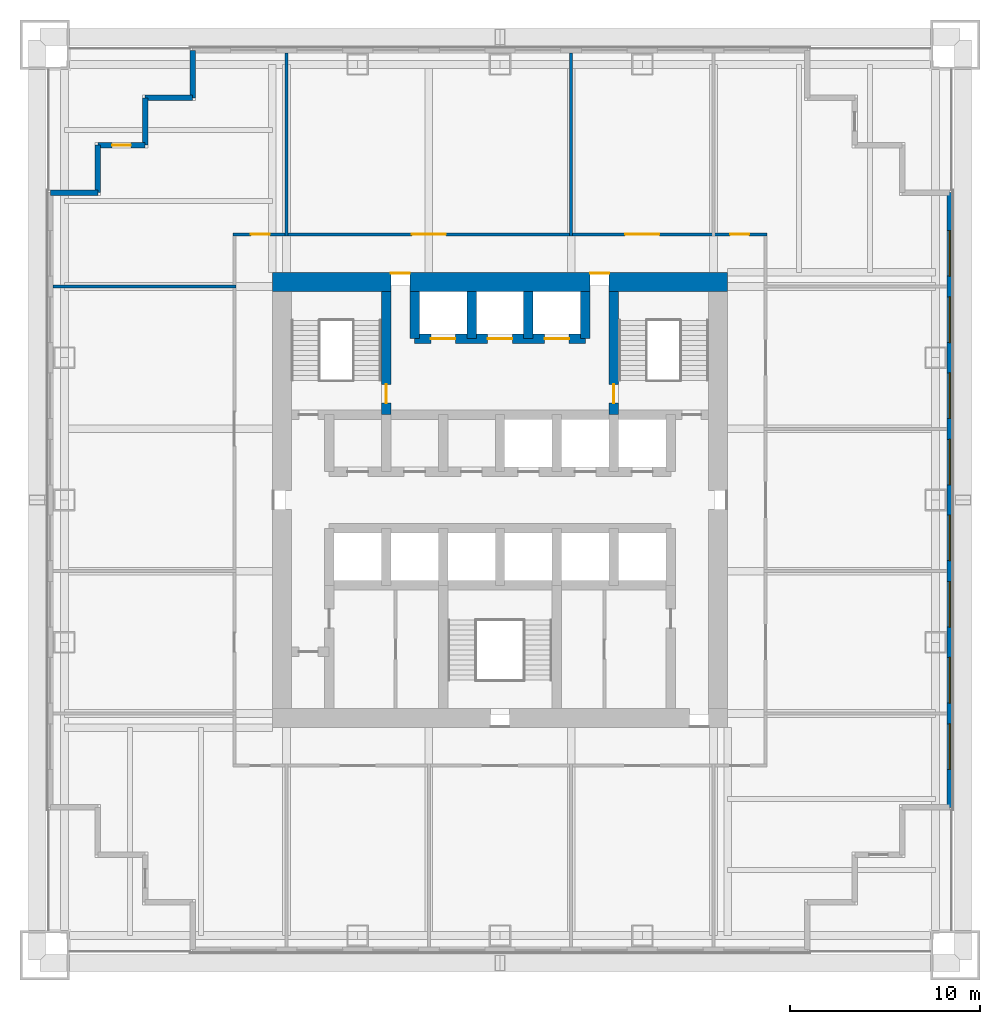
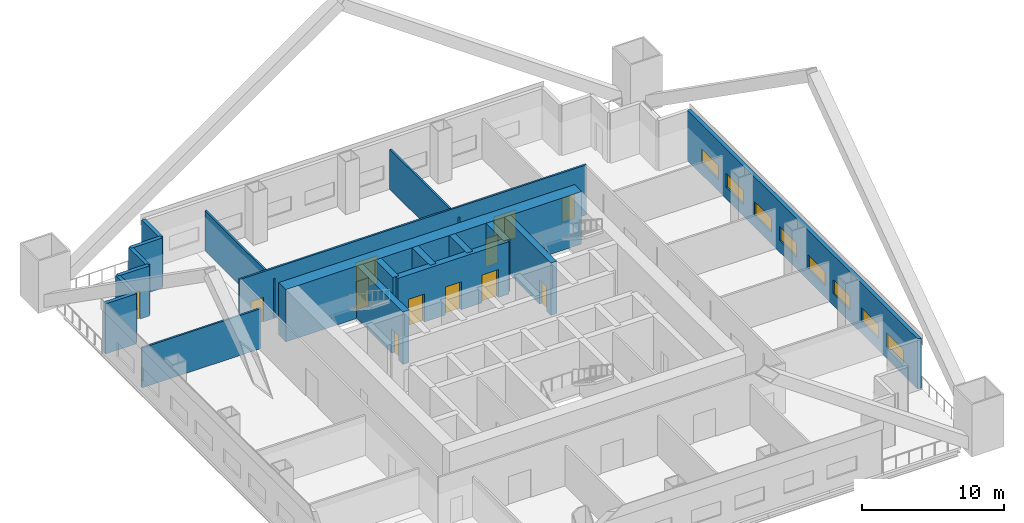
# One storey, part 4 of 6: 19 walls, 12 doors, 8 windows, 20 openings.
"""IFC4 building model written with IfcOpenShell, lengths in metres."""

from ifc_helpers import new_model, si_unit, direction, frame, frame_2d, origin, place, context, subcontext, project, spatial, rectangle, extrude, material, layer, layer_set, type_object, element, fill, save


model = new_model("IFC4")

# Units and contexts
model_context = context("Model", 3, precision=1e-05, world=origin(), true_north=direction((0.0, 1.0)))
body_context = subcontext(model_context, "Body", "Model", "MODEL_VIEW")
ifc_project = project(units=[si_unit("LENGTHUNIT", "METRE"), si_unit("AREAUNIT", "SQUARE_METRE"), si_unit("VOLUMEUNIT", "CUBIC_METRE"), si_unit("PLANEANGLEUNIT", "RADIAN"), si_unit("MASSUNIT", "GRAM", prefix="KILO")], contexts=[model_context])

# Site, building, storey
site_placement = place(None, origin())
site = spatial("IfcSite", under=ifc_project, at=site_placement, CompositionType="ELEMENT")
building_placement = place(site_placement, origin())
building = spatial("IfcBuilding", under=site, at=building_placement, Name="Tarangal Relay Tower", CompositionType="ELEMENT")
storey_placement = place(building_placement, frame((0.0, 0.0, 104.39990234375)))
storey = spatial("IfcBuildingStorey", under=building, at=storey_placement, Name="L20", CompositionType="ELEMENT", Elevation=104.39990234375)

# Wall, openings, doors
ifc_material_1 = material(Name="Concrete fc' 60 MPa", Category="concrete")
ifc_layer_1 = layer(ifc_material_1, 0.5)
ifc_layer_set_1 = layer_set([ifc_layer_1], Name="Core inner wall 500")
wall_type_1 = type_object("IfcWallType", Name="Core inner wall 500", PredefinedType="SHEAR", material=ifc_layer_set_1)
wall_1_placement = place(storey_placement, frame((-4.5, 8.5, 0.0), z_axis=(0.0, 0.0, 1.0), x_axis=(1.0, 0.0, 0.0)))
wall_1 = element("IfcWall", 1, at=wall_1_placement, inside=storey, type_object=wall_type_1, Name="Core wall Y85 L20", PredefinedType="SHEAR", context=body_context, shape_type="SweptSolid", body=[
    extrude(rectangle(XDim=9.0, YDim=0.5, at=frame_2d((4.5, 0.0))), origin(), (0.0, 0.0, 1.0), 4.5),
])
opening_1_placement = place(wall_1_placement, frame((0.85009765625, 0.0, 0.0)))
opening_1 = element("IfcOpeningElement", 2, at=opening_1_placement, cuts=wall_1, Name="Opening LD2", PredefinedType="OPENING", context=body_context, shape_type="SweptSolid", body=[
    extrude(rectangle(XDim=1.300048828125, YDim=2.39990234375, at=frame_2d((0.64990234375, 1.199951171875))), frame((0.0, 0.260009765625, 0.0), z_axis=(0.0, -1.0, 0.0), x_axis=(1.0, 0.0, 0.0)), (0.0, 0.0, 1.0), 0.52001953125),
])
opening_2_placement = place(wall_1_placement, frame((6.85009765625, 0.0, 0.0)))
opening_2 = element("IfcOpeningElement", 3, at=opening_2_placement, cuts=wall_1, Name="Opening LD2", PredefinedType="OPENING", context=body_context, shape_type="SweptSolid", body=[
    extrude(rectangle(XDim=1.300048828125, YDim=2.39990234375, at=frame_2d((0.64990234375, 1.199951171875))), frame((0.0, 0.260009765625, 0.0), z_axis=(0.0, -1.0, 0.0), x_axis=(1.0, 0.0, 0.0)), (0.0, 0.0, 1.0), 0.52001953125),
])
opening_3_placement = place(wall_1_placement, frame((3.85009765625, 0.0, 0.0)))
opening_3 = element("IfcOpeningElement", 4, at=opening_3_placement, cuts=wall_1, Name="Opening LD2", PredefinedType="OPENING", context=body_context, shape_type="SweptSolid", body=[
    extrude(rectangle(XDim=1.300048828125, YDim=2.39990234375, at=frame_2d((0.64990234375, 1.199951171875))), frame((0.0, 0.260009765625, 0.0), z_axis=(0.0, -1.0, 0.0), x_axis=(1.0, 0.0, 0.0)), (0.0, 0.0, 1.0), 0.52001953125),
])
ifc_material_2 = material(Name="Steel door with hardwood frame", Category="steel")
door_type_1 = type_object("IfcDoorType", Name="Lift landing door 1300 x 2400", OperationType="SLIDING_TO_LEFT", PredefinedType="DOOR", material=ifc_material_2)
door_1_placement = place(opening_1_placement, origin())
door_1 = element("IfcDoor", 5, at=door_1_placement, inside=storey, type_object=door_type_1, Name="Lift FF1 landing door L20", OperationType="SLIDING_TO_LEFT", OverallHeight=2.39990234375, OverallWidth=1.300048828125, PredefinedType="DOOR", context=body_context, shape_type="SweptSolid", body=[
    extrude(rectangle(XDim=1.300048828125, YDim=2.39990234375, at=frame_2d((0.64990234375, 1.199951171875))), frame((0.0, 0.02490234375, 0.0), z_axis=(0.0, -1.0, 0.0), x_axis=(1.0, 0.0, 0.0)), (0.0, 0.0, 1.0), 0.050048828125),
])
fill(opening_1, door_1)
door_2_placement = place(opening_2_placement, origin())
door_2 = element("IfcDoor", 6, at=door_2_placement, inside=storey, type_object=door_type_1, Name="Lift FF2 landing door L20", OperationType="SLIDING_TO_LEFT", OverallHeight=2.39990234375, OverallWidth=1.300048828125, PredefinedType="DOOR", context=body_context, shape_type="SweptSolid", body=[
    extrude(rectangle(XDim=1.300048828125, YDim=2.39990234375, at=frame_2d((0.64990234375, 1.199951171875))), frame((0.0, 0.02490234375, 0.0), z_axis=(0.0, -1.0, 0.0), x_axis=(1.0, 0.0, 0.0)), (0.0, 0.0, 1.0), 0.050048828125),
])
fill(opening_2, door_2)
door_3_placement = place(opening_3_placement, origin())
door_3 = element("IfcDoor", 7, at=door_3_placement, inside=storey, type_object=door_type_1, Name="Lift SV1 landing door L20", OperationType="SLIDING_TO_LEFT", OverallHeight=2.39990234375, OverallWidth=1.300048828125, PredefinedType="DOOR", context=body_context, shape_type="SweptSolid", body=[
    extrude(rectangle(XDim=1.300048828125, YDim=2.39990234375, at=frame_2d((0.64990234375, 1.199951171875))), frame((0.0, 0.02490234375, 0.0), z_axis=(0.0, -1.0, 0.0), x_axis=(1.0, 0.0, 0.0)), (0.0, 0.0, 1.0), 0.050048828125),
])
fill(opening_3, door_3)

# Wall, opening, door
wall_2_placement = place(storey_placement, frame((-6.0, 4.5, 0.0), z_axis=(0.0, 0.0, 1.0), x_axis=(0.0, 1.0, 0.0)))
wall_2 = element("IfcWall", 8, at=wall_2_placement, inside=storey, type_object=wall_type_1, Name="Core wall XM6 L20", PredefinedType="SHEAR", context=body_context, shape_type="SweptSolid", body=[
    extrude(rectangle(XDim=6.5, YDim=0.5, at=frame_2d((3.25, 0.0))), origin(), (0.0, 0.0, 1.0), 4.5),
])
opening_4_placement = place(wall_2_placement, frame((0.60009765625, 0.0, 0.0)))
opening_4 = element("IfcOpeningElement", 9, at=opening_4_placement, cuts=wall_2, Name="Opening FD1", PredefinedType="OPENING", context=body_context, shape_type="SweptSolid", body=[
    extrude(rectangle(XDim=1.0, YDim=2.10009765625, at=frame_2d((0.5, 1.050048828125))), frame((0.0, 0.260009765625, 0.0), z_axis=(0.0, -1.0, 0.0), x_axis=(1.0, 0.0, 0.0)), (0.0, 0.0, 1.0), 0.52001953125),
])
door_type_2 = type_object("IfcDoorType", Name="Fire door 1000 x 2100", OperationType="SINGLE_SWING_LEFT", PredefinedType="DOOR", material=ifc_material_2)
door_4_placement = place(opening_4_placement, origin())
door_4 = element("IfcDoor", 10, at=door_4_placement, inside=storey, type_object=door_type_2, Name="Stair ST-A door from fire-fighting lobby L20", OperationType="SINGLE_SWING_LEFT", OverallHeight=2.10009765625, OverallWidth=1.0, PredefinedType="DOOR", context=body_context, shape_type="SweptSolid", body=[
    extrude(rectangle(XDim=1.0, YDim=2.10009765625, at=frame_2d((0.5, 1.050048828125))), frame((0.0, 0.02490234375, 0.0), z_axis=(0.0, -1.0, 0.0), x_axis=(1.0, 0.0, 0.0)), (0.0, 0.0, 1.0), 0.050048828125),
])
fill(opening_4, door_4)

wall_3_placement = place(storey_placement, frame((6.0, 4.5, 0.0), z_axis=(0.0, 0.0, 1.0), x_axis=(0.0, 1.0, 0.0)))
wall_3 = element("IfcWall", 11, at=wall_3_placement, inside=storey, type_object=wall_type_1, Name="Core wall X6 L20", PredefinedType="SHEAR", context=body_context, shape_type="SweptSolid", body=[
    extrude(rectangle(XDim=6.5, YDim=0.5, at=frame_2d((3.25, 0.0))), origin(), (0.0, 0.0, 1.0), 4.5),
])
opening_5_placement = place(wall_3_placement, frame((0.60009765625, 0.0, 0.0)))
opening_5 = element("IfcOpeningElement", 12, at=opening_5_placement, cuts=wall_3, Name="Opening FD1", PredefinedType="OPENING", context=body_context, shape_type="SweptSolid", body=[
    extrude(rectangle(XDim=1.0, YDim=2.10009765625, at=frame_2d((0.5, 1.050048828125))), frame((0.0, 0.260009765625, 0.0), z_axis=(0.0, -1.0, 0.0), x_axis=(1.0, 0.0, 0.0)), (0.0, 0.0, 1.0), 0.52001953125),
])
door_5_placement = place(opening_5_placement, origin())
door_5 = element("IfcDoor", 13, at=door_5_placement, inside=storey, type_object=door_type_2, Name="Stair ST-B door from fire-fighting lobby L20", OperationType="SINGLE_SWING_LEFT", OverallHeight=2.10009765625, OverallWidth=1.0, PredefinedType="DOOR", context=body_context, shape_type="SweptSolid", body=[
    extrude(rectangle(XDim=1.0, YDim=2.10009765625, at=frame_2d((0.5, 1.050048828125))), frame((0.0, 0.02490234375, 0.0), z_axis=(0.0, -1.0, 0.0), x_axis=(1.0, 0.0, 0.0)), (0.0, 0.0, 1.0), 0.050048828125),
])
fill(opening_5, door_5)

# Walls
for number, where, z_axis, x_axis, name in (
    (14, (-4.5, 8.5, 0.0), (0.0, 0.0, 1.0), (0.0, 1.0, 0.0), "Core wall XM45 L20"),
    (15, (4.5, 8.5, 0.0), (0.0, 0.0, 1.0), (0.0, 1.0, 0.0), "Core wall X45 L20"),
    (16, (-1.5, 8.5, 0.0), (0.0, 0.0, 1.0), (0.0, 1.0, 0.0), "Core wall XM15 L20"),
    (17, (1.5, 8.5, 0.0), (0.0, 0.0, 1.0), (0.0, 1.0, 0.0), "Core wall X15 L20"),
):
    element("IfcWall", number, at=place(storey_placement, frame(where, z_axis=z_axis, x_axis=x_axis)), inside=storey, type_object=wall_type_1, Name=name, PredefinedType="SHEAR", context=body_context, shape_type="SweptSolid", body=[
        extrude(rectangle(XDim=2.5, YDim=0.5, at=frame_2d((1.25, 0.0))), origin(), (0.0, 0.0, 1.0), 4.5),
    ])

# Wall, openings, doors
ifc_layer_2 = layer(ifc_material_1, 1.0)
ifc_layer_set_2 = layer_set([ifc_layer_2], Name="Core wall 1000")
wall_type_2 = type_object("IfcWallType", Name="Core wall 1000", PredefinedType="SHEAR", material=ifc_layer_set_2)
wall_4_placement = place(storey_placement, frame((-12.0, 11.5, 0.0), z_axis=(0.0, 0.0, 1.0), x_axis=(1.0, 0.0, 0.0)))
wall_4 = element("IfcWall", 18, at=wall_4_placement, inside=storey, type_object=wall_type_2, Name="Core wall N L20", PredefinedType="SHEAR", context=body_context, shape_type="SweptSolid", body=[
    extrude(rectangle(XDim=24.0, YDim=1.0, at=frame_2d((12.0, 0.0))), origin(), (0.0, 0.0, 1.0), 4.5),
])
opening_6_placement = place(wall_4_placement, frame((6.25, 0.0, 0.0)))
opening_6 = element("IfcOpeningElement", 19, at=opening_6_placement, cuts=wall_4, Name="Opening FD3", PredefinedType="OPENING", context=body_context, shape_type="SweptSolid", body=[
    extrude(rectangle(XDim=1.0, YDim=2.39990234375, at=frame_2d((0.5, 1.199951171875))), frame((0.0, 0.510009765625, 0.0), z_axis=(0.0, -1.0, 0.0), x_axis=(1.0, 0.0, 0.0)), (0.0, 0.0, 1.0), 1.02001953125),
])
opening_7_placement = place(wall_4_placement, frame((16.75, 0.0, 0.0)))
opening_7 = element("IfcOpeningElement", 20, at=opening_7_placement, cuts=wall_4, Name="Opening FD3", PredefinedType="OPENING", context=body_context, shape_type="SweptSolid", body=[
    extrude(rectangle(XDim=1.0, YDim=2.39990234375, at=frame_2d((0.5, 1.199951171875))), frame((0.0, 0.510009765625, 0.0), z_axis=(0.0, -1.0, 0.0), x_axis=(1.0, 0.0, 0.0)), (0.0, 0.0, 1.0), 1.02001953125),
])
door_type_3 = type_object("IfcDoorType", Name="Fire door 1000 x 2400 core entry", OperationType="SINGLE_SWING_RIGHT", PredefinedType="DOOR", material=ifc_material_2)
door_6_placement = place(opening_6_placement, origin())
door_6 = element("IfcDoor", 21, at=door_6_placement, inside=storey, type_object=door_type_3, Name="Core entry door north west L20", OperationType="SINGLE_SWING_RIGHT", OverallHeight=2.39990234375, OverallWidth=1.0, PredefinedType="DOOR", context=body_context, shape_type="SweptSolid", body=[
    extrude(rectangle(XDim=1.0, YDim=2.39990234375, at=frame_2d((0.5, 1.199951171875))), frame((0.0, 0.48486328125, 0.0), z_axis=(0.0, -1.0, 0.0), x_axis=(1.0, 0.0, 0.0)), (0.0, 0.0, 1.0), 0.050048828125),
])
fill(opening_6, door_6)
door_7_placement = place(opening_7_placement, origin())
door_7 = element("IfcDoor", 22, at=door_7_placement, inside=storey, type_object=door_type_3, Name="Core entry door north east L20", OperationType="SINGLE_SWING_RIGHT", OverallHeight=2.39990234375, OverallWidth=1.0, PredefinedType="DOOR", context=body_context, shape_type="SweptSolid", body=[
    extrude(rectangle(XDim=1.0, YDim=2.39990234375, at=frame_2d((0.5, 1.199951171875))), frame((0.0, 0.48486328125, 0.0), z_axis=(0.0, -1.0, 0.0), x_axis=(1.0, 0.0, 0.0)), (0.0, 0.0, 1.0), 0.050048828125),
])
fill(opening_7, door_7)

# Wall, openings, windows
ifc_material_3 = material(Name="Insulated precast concrete fc' 40 MPa", Category="concrete")
ifc_layer_3 = layer(ifc_material_3, 0.300048828125)
ifc_layer_set_3 = layer_set([ifc_layer_3], Name="Insulated precast concrete fc' 40 MPa")
wall_type_3 = type_object("IfcWallType", Name="Facade wall precast 300", PredefinedType="SOLIDWALL", material=ifc_layer_set_3)
wall_5_placement = place(storey_placement, frame((23.699951171875, 16.199951171875, 0.0), z_axis=(0.0, 0.0, 1.0), x_axis=(0.0, -1.0, 0.0)))
wall_5 = element("IfcWall", 23, at=wall_5_placement, inside=storey, type_object=wall_type_3, Name="Facade wall E facade L20", PredefinedType="SOLIDWALL", context=body_context, shape_type="SweptSolid", body=[
    extrude(rectangle(XDim=32.39990234375, YDim=0.300048828125, at=frame_2d((16.199951171875, 0.0))), origin(), (0.0, 0.0, 1.0), 4.300048828125),
])
opening_8_placement = place(wall_5_placement, frame((2.0, 0.0, 1.0)))
opening_8 = element("IfcOpeningElement", 24, at=opening_8_placement, cuts=wall_5, Name="Opening WN1", PredefinedType="OPENING", context=body_context, shape_type="SweptSolid", body=[
    extrude(rectangle(XDim=2.39990234375, YDim=1.199951171875, at=frame_2d((1.199951171875, 0.60009765625))), frame((0.0, 0.159912109375, 0.0), z_axis=(0.0, -1.0, 0.0), x_axis=(1.0, 0.0, 0.0)), (0.0, 0.0, 1.0), 0.320068359375),
])
opening_9_placement = place(wall_5_placement, frame((5.5, 0.0, 1.0)))
opening_9 = element("IfcOpeningElement", 25, at=opening_9_placement, cuts=wall_5, Name="Opening WN1", PredefinedType="OPENING", context=body_context, shape_type="SweptSolid", body=[
    extrude(rectangle(XDim=2.39990234375, YDim=1.199951171875, at=frame_2d((1.199951171875, 0.60009765625))), frame((0.0, 0.159912109375, 0.0), z_axis=(0.0, -1.0, 0.0), x_axis=(1.0, 0.0, 0.0)), (0.0, 0.0, 1.0), 0.320068359375),
])
opening_10_placement = place(wall_5_placement, frame((9.5, 0.0, 1.0)))
opening_10 = element("IfcOpeningElement", 26, at=opening_10_placement, cuts=wall_5, Name="Opening WN1", PredefinedType="OPENING", context=body_context, shape_type="SweptSolid", body=[
    extrude(rectangle(XDim=2.39990234375, YDim=1.199951171875, at=frame_2d((1.199951171875, 0.60009765625))), frame((0.0, 0.159912109375, 0.0), z_axis=(0.0, -1.0, 0.0), x_axis=(1.0, 0.0, 0.0)), (0.0, 0.0, 1.0), 0.320068359375),
])
opening_11_placement = place(wall_5_placement, frame((13.0, 0.0, 1.0)))
opening_11 = element("IfcOpeningElement", 27, at=opening_11_placement, cuts=wall_5, Name="Opening WN1", PredefinedType="OPENING", context=body_context, shape_type="SweptSolid", body=[
    extrude(rectangle(XDim=2.39990234375, YDim=1.199951171875, at=frame_2d((1.199951171875, 0.60009765625))), frame((0.0, 0.159912109375, 0.0), z_axis=(0.0, -1.0, 0.0), x_axis=(1.0, 0.0, 0.0)), (0.0, 0.0, 1.0), 0.320068359375),
])
opening_12_placement = place(wall_5_placement, frame((17.0, 0.0, 1.0)))
opening_12 = element("IfcOpeningElement", 28, at=opening_12_placement, cuts=wall_5, Name="Opening WN1", PredefinedType="OPENING", context=body_context, shape_type="SweptSolid", body=[
    extrude(rectangle(XDim=2.39990234375, YDim=1.199951171875, at=frame_2d((1.199951171875, 0.60009765625))), frame((0.0, 0.159912109375, 0.0), z_axis=(0.0, -1.0, 0.0), x_axis=(1.0, 0.0, 0.0)), (0.0, 0.0, 1.0), 0.320068359375),
])
opening_13_placement = place(wall_5_placement, frame((20.5, 0.0, 1.0)))
opening_13 = element("IfcOpeningElement", 29, at=opening_13_placement, cuts=wall_5, Name="Opening WN1", PredefinedType="OPENING", context=body_context, shape_type="SweptSolid", body=[
    extrude(rectangle(XDim=2.39990234375, YDim=1.199951171875, at=frame_2d((1.199951171875, 0.60009765625))), frame((0.0, 0.159912109375, 0.0), z_axis=(0.0, -1.0, 0.0), x_axis=(1.0, 0.0, 0.0)), (0.0, 0.0, 1.0), 0.320068359375),
])
opening_14_placement = place(wall_5_placement, frame((24.5, 0.0, 1.0)))
opening_14 = element("IfcOpeningElement", 30, at=opening_14_placement, cuts=wall_5, Name="Opening WN1", PredefinedType="OPENING", context=body_context, shape_type="SweptSolid", body=[
    extrude(rectangle(XDim=2.39990234375, YDim=1.199951171875, at=frame_2d((1.199951171875, 0.60009765625))), frame((0.0, 0.159912109375, 0.0), z_axis=(0.0, -1.0, 0.0), x_axis=(1.0, 0.0, 0.0)), (0.0, 0.0, 1.0), 0.320068359375),
])
opening_15_placement = place(wall_5_placement, frame((28.0, 0.0, 1.0)))
opening_15 = element("IfcOpeningElement", 31, at=opening_15_placement, cuts=wall_5, Name="Opening WN1", PredefinedType="OPENING", context=body_context, shape_type="SweptSolid", body=[
    extrude(rectangle(XDim=2.39990234375, YDim=1.199951171875, at=frame_2d((1.199951171875, 0.60009765625))), frame((0.0, 0.159912109375, 0.0), z_axis=(0.0, -1.0, 0.0), x_axis=(1.0, 0.0, 0.0)), (0.0, 0.0, 1.0), 0.320068359375),
])
ifc_material_4 = material(Name="Dark tinted double glazing in black aluminium frame", Category="aluminium")
window_type = type_object("IfcWindowType", Name="Ribbon window 2400 x 1200", PartitioningType="SINGLE_PANEL", PredefinedType="WINDOW", material=ifc_material_4)
window_1_placement = place(opening_8_placement, origin())
window_1 = element("IfcWindow", 32, at=window_1_placement, inside=storey, type_object=window_type, Name="Ribbon window WN1 E facade L20", OverallHeight=1.199951171875, OverallWidth=2.39990234375, PartitioningType="SINGLE_PANEL", PredefinedType="WINDOW", context=body_context, shape_type="SweptSolid", body=[
    extrude(rectangle(XDim=2.39990234375, YDim=1.199951171875, at=frame_2d((1.199951171875, 0.60009765625))), frame((0.0, 0.030029296875, 0.0), z_axis=(0.0, -1.0, 0.0), x_axis=(1.0, 0.0, 0.0)), (0.0, 0.0, 1.0), 0.06005859375),
])
fill(opening_8, window_1)
window_2_placement = place(opening_9_placement, origin())
window_2 = element("IfcWindow", 33, at=window_2_placement, inside=storey, type_object=window_type, Name="Ribbon window WN1 E facade L20", OverallHeight=1.199951171875, OverallWidth=2.39990234375, PartitioningType="SINGLE_PANEL", PredefinedType="WINDOW", context=body_context, shape_type="SweptSolid", body=[
    extrude(rectangle(XDim=2.39990234375, YDim=1.199951171875, at=frame_2d((1.199951171875, 0.60009765625))), frame((0.0, 0.030029296875, 0.0), z_axis=(0.0, -1.0, 0.0), x_axis=(1.0, 0.0, 0.0)), (0.0, 0.0, 1.0), 0.06005859375),
])
fill(opening_9, window_2)
window_3_placement = place(opening_10_placement, origin())
window_3 = element("IfcWindow", 34, at=window_3_placement, inside=storey, type_object=window_type, Name="Ribbon window WN1 E facade L20", OverallHeight=1.199951171875, OverallWidth=2.39990234375, PartitioningType="SINGLE_PANEL", PredefinedType="WINDOW", context=body_context, shape_type="SweptSolid", body=[
    extrude(rectangle(XDim=2.39990234375, YDim=1.199951171875, at=frame_2d((1.199951171875, 0.60009765625))), frame((0.0, 0.030029296875, 0.0), z_axis=(0.0, -1.0, 0.0), x_axis=(1.0, 0.0, 0.0)), (0.0, 0.0, 1.0), 0.06005859375),
])
fill(opening_10, window_3)
window_4_placement = place(opening_11_placement, origin())
window_4 = element("IfcWindow", 35, at=window_4_placement, inside=storey, type_object=window_type, Name="Ribbon window WN1 E facade L20", OverallHeight=1.199951171875, OverallWidth=2.39990234375, PartitioningType="SINGLE_PANEL", PredefinedType="WINDOW", context=body_context, shape_type="SweptSolid", body=[
    extrude(rectangle(XDim=2.39990234375, YDim=1.199951171875, at=frame_2d((1.199951171875, 0.60009765625))), frame((0.0, 0.030029296875, 0.0), z_axis=(0.0, -1.0, 0.0), x_axis=(1.0, 0.0, 0.0)), (0.0, 0.0, 1.0), 0.06005859375),
])
fill(opening_11, window_4)
window_5_placement = place(opening_12_placement, origin())
window_5 = element("IfcWindow", 36, at=window_5_placement, inside=storey, type_object=window_type, Name="Ribbon window WN1 E facade L20", OverallHeight=1.199951171875, OverallWidth=2.39990234375, PartitioningType="SINGLE_PANEL", PredefinedType="WINDOW", context=body_context, shape_type="SweptSolid", body=[
    extrude(rectangle(XDim=2.39990234375, YDim=1.199951171875, at=frame_2d((1.199951171875, 0.60009765625))), frame((0.0, 0.030029296875, 0.0), z_axis=(0.0, -1.0, 0.0), x_axis=(1.0, 0.0, 0.0)), (0.0, 0.0, 1.0), 0.06005859375),
])
fill(opening_12, window_5)
window_6_placement = place(opening_13_placement, origin())
window_6 = element("IfcWindow", 37, at=window_6_placement, inside=storey, type_object=window_type, Name="Ribbon window WN1 E facade L20", OverallHeight=1.199951171875, OverallWidth=2.39990234375, PartitioningType="SINGLE_PANEL", PredefinedType="WINDOW", context=body_context, shape_type="SweptSolid", body=[
    extrude(rectangle(XDim=2.39990234375, YDim=1.199951171875, at=frame_2d((1.199951171875, 0.60009765625))), frame((0.0, 0.030029296875, 0.0), z_axis=(0.0, -1.0, 0.0), x_axis=(1.0, 0.0, 0.0)), (0.0, 0.0, 1.0), 0.06005859375),
])
fill(opening_13, window_6)
window_7_placement = place(opening_14_placement, origin())
window_7 = element("IfcWindow", 38, at=window_7_placement, inside=storey, type_object=window_type, Name="Ribbon window WN1 E facade L20", OverallHeight=1.199951171875, OverallWidth=2.39990234375, PartitioningType="SINGLE_PANEL", PredefinedType="WINDOW", context=body_context, shape_type="SweptSolid", body=[
    extrude(rectangle(XDim=2.39990234375, YDim=1.199951171875, at=frame_2d((1.199951171875, 0.60009765625))), frame((0.0, 0.030029296875, 0.0), z_axis=(0.0, -1.0, 0.0), x_axis=(1.0, 0.0, 0.0)), (0.0, 0.0, 1.0), 0.06005859375),
])
fill(opening_14, window_7)
window_8_placement = place(opening_15_placement, origin())
window_8 = element("IfcWindow", 39, at=window_8_placement, inside=storey, type_object=window_type, Name="Ribbon window WN1 E facade L20", OverallHeight=1.199951171875, OverallWidth=2.39990234375, PartitioningType="SINGLE_PANEL", PredefinedType="WINDOW", context=body_context, shape_type="SweptSolid", body=[
    extrude(rectangle(XDim=2.39990234375, YDim=1.199951171875, at=frame_2d((1.199951171875, 0.60009765625))), frame((0.0, 0.030029296875, 0.0), z_axis=(0.0, -1.0, 0.0), x_axis=(1.0, 0.0, 0.0)), (0.0, 0.0, 1.0), 0.06005859375),
])
fill(opening_15, window_8)

# Walls
for number, where, z_axis, x_axis, name in (
    (40, (-23.699951171875, 16.199951171875, 0.0), (0.0, 0.0, 1.0), (1.0, 0.0, 0.0), "Facade wall W facade L20"),
    (41, (-21.199951171875, 16.199951171875, 0.0), (0.0, 0.0, 1.0), (0.0, 1.0, 0.0), "Facade wall W facade L20"),
):
    element("IfcWall", number, at=place(storey_placement, frame(where, z_axis=z_axis, x_axis=x_axis)), inside=storey, type_object=wall_type_3, Name=name, PredefinedType="SOLIDWALL", context=body_context, shape_type="SweptSolid", body=[
        extrude(rectangle(XDim=2.5, YDim=0.300048828125, at=frame_2d((1.25, 0.0))), origin(), (0.0, 0.0, 1.0), 4.300048828125),
    ])

# Wall, opening, door
wall_6_placement = place(storey_placement, frame((-21.199951171875, 18.699951171875, 0.0), z_axis=(0.0, 0.0, 1.0), x_axis=(1.0, 0.0, 0.0)))
wall_6 = element("IfcWall", 42, at=wall_6_placement, inside=storey, type_object=wall_type_3, Name="Facade wall W facade L20", PredefinedType="SOLIDWALL", context=body_context, shape_type="SweptSolid", body=[
    extrude(rectangle(XDim=2.5, YDim=0.300048828125, at=frame_2d((1.25, 0.0))), origin(), (0.0, 0.0, 1.0), 4.300048828125),
])
opening_16_placement = place(wall_6_placement, frame((0.75, 0.0, 0.0)))
opening_16 = element("IfcOpeningElement", 43, at=opening_16_placement, cuts=wall_6, Name="Opening TD1", PredefinedType="OPENING", context=body_context, shape_type="SweptSolid", body=[
    extrude(rectangle(XDim=1.0, YDim=2.39990234375, at=frame_2d((0.5, 1.199951171875))), frame((0.0, 0.159912109375, 0.0), z_axis=(0.0, -1.0, 0.0), x_axis=(1.0, 0.0, 0.0)), (0.0, 0.0, 1.0), 0.320068359375),
])
ifc_material_5 = material(Name="Aluminium glazed door", Category="aluminium")
door_type_4 = type_object("IfcDoorType", Name="Terrace door 1000 x 2400", OperationType="SINGLE_SWING_RIGHT", PredefinedType="DOOR", material=ifc_material_5)
door_8_placement = place(opening_16_placement, origin())
door_8 = element("IfcDoor", 44, at=door_8_placement, inside=storey, type_object=door_type_4, Name="Terrace door TD1 NW L20", OperationType="SINGLE_SWING_RIGHT", OverallHeight=2.39990234375, OverallWidth=1.0, PredefinedType="DOOR", context=body_context, shape_type="SweptSolid", body=[
    extrude(rectangle(XDim=1.0, YDim=2.39990234375, at=frame_2d((0.5, 1.199951171875))), frame((0.0, 0.02490234375, 0.0), z_axis=(0.0, -1.0, 0.0), x_axis=(1.0, 0.0, 0.0)), (0.0, 0.0, 1.0), 0.050048828125),
])
fill(opening_16, door_8)

# Walls
for number, where, z_axis, x_axis, name in (
    (45, (-18.699951171875, 18.699951171875, 0.0), (0.0, 0.0, 1.0), (0.0, 1.0, 0.0), "Facade wall W facade L20"),
    (46, (-18.699951171875, 21.199951171875, 0.0), (0.0, 0.0, 1.0), (1.0, 0.0, 0.0), "Facade wall W facade L20"),
    (47, (-16.199951171875, 21.199951171875, 0.0), (0.0, 0.0, 1.0), (0.0, 1.0, 0.0), "Facade wall W facade L20"),
):
    element("IfcWall", number, at=place(storey_placement, frame(where, z_axis=z_axis, x_axis=x_axis)), inside=storey, type_object=wall_type_3, Name=name, PredefinedType="SOLIDWALL", context=body_context, shape_type="SweptSolid", body=[
        extrude(rectangle(XDim=2.5, YDim=0.300048828125, at=frame_2d((1.25, 0.0))), origin(), (0.0, 0.0, 1.0), 4.300048828125),
    ])
ifc_material_6 = material(Name="Gypsum board on steel studs", Category="steel")
ifc_layer_4 = layer(ifc_material_6, 0.14990234375)
ifc_layer_set_4 = layer_set([ifc_layer_4], Name="Partition 150")
wall_type_4 = type_object("IfcWallType", Name="Partition 150", PredefinedType="PARTITIONING", material=ifc_layer_set_4)
wall_7_placement = place(storey_placement, frame((-23.550048828125, 11.25, 0.0), z_axis=(0.0, 0.0, 1.0), x_axis=(1.0, 0.0, 0.0)))
element("IfcWall", 48, at=wall_7_placement, inside=storey, type_object=wall_type_4, Name="Partition PT1 L20", PredefinedType="PARTITIONING", context=body_context, shape_type="SweptSolid", body=[
    extrude(rectangle(XDim=9.625, YDim=0.14990234375, at=frame_2d((4.8125, 0.0))), origin(), (0.0, 0.0, 1.0), 3.431396484375),
])

# Wall, openings, doors
wall_8_placement = place(storey_placement, frame((-14.074951171875, 14.0, 0.0), z_axis=(0.0, 0.0, 1.0), x_axis=(1.0, 0.0, 0.0)))
wall_8 = element("IfcWall", 49, at=wall_8_placement, inside=storey, type_object=wall_type_4, Name="Partition PT1 L20", PredefinedType="PARTITIONING", context=body_context, shape_type="SweptSolid", body=[
    extrude(rectangle(XDim=28.14990234375, YDim=0.14990234375, at=frame_2d((14.074951171875, 0.0))), origin(), (0.0, 0.0, 1.0), 4.300048828125),
])
opening_17_placement = place(wall_8_placement, frame((9.425048828125, 0.0, 0.0)))
opening_17 = element("IfcOpeningElement", 50, at=opening_17_placement, cuts=wall_8, Name="Opening DD1", PredefinedType="OPENING", context=body_context, shape_type="SweptSolid", body=[
    extrude(rectangle(XDim=1.800048828125, YDim=2.39990234375, at=frame_2d((0.89990234375, 1.199951171875))), frame((0.0, 0.0849609375, 0.0), z_axis=(0.0, -1.0, 0.0), x_axis=(1.0, 0.0, 0.0)), (0.0, 0.0, 1.0), 0.169921875),
])
opening_18_placement = place(wall_8_placement, frame((20.675048828125, 0.0, 0.0)))
opening_18 = element("IfcOpeningElement", 51, at=opening_18_placement, cuts=wall_8, Name="Opening DD1", PredefinedType="OPENING", context=body_context, shape_type="SweptSolid", body=[
    extrude(rectangle(XDim=1.800048828125, YDim=2.39990234375, at=frame_2d((0.89990234375, 1.199951171875))), frame((0.0, 0.0849609375, 0.0), z_axis=(0.0, -1.0, 0.0), x_axis=(1.0, 0.0, 0.0)), (0.0, 0.0, 1.0), 0.169921875),
])
opening_19_placement = place(wall_8_placement, frame((26.199951171875, 0.0, 0.0)))
opening_19 = element("IfcOpeningElement", 52, at=opening_19_placement, cuts=wall_8, Name="Opening D2", PredefinedType="OPENING", context=body_context, shape_type="SweptSolid", body=[
    extrude(rectangle(XDim=1.0, YDim=2.10009765625, at=frame_2d((0.5, 1.050048828125))), frame((0.0, 0.0849609375, 0.0), z_axis=(0.0, -1.0, 0.0), x_axis=(1.0, 0.0, 0.0)), (0.0, 0.0, 1.0), 0.169921875),
])
opening_20_placement = place(wall_8_placement, frame((0.949951171875, 0.0, 0.0)))
opening_20 = element("IfcOpeningElement", 53, at=opening_20_placement, cuts=wall_8, Name="Opening D2", PredefinedType="OPENING", context=body_context, shape_type="SweptSolid", body=[
    extrude(rectangle(XDim=1.0, YDim=2.10009765625, at=frame_2d((0.5, 1.050048828125))), frame((0.0, 0.0849609375, 0.0), z_axis=(0.0, -1.0, 0.0), x_axis=(1.0, 0.0, 0.0)), (0.0, 0.0, 1.0), 0.169921875),
])
ifc_material_7 = material(Name="Hardwood door", Category="wood")
door_type_5 = type_object("IfcDoorType", Name="Door 1000 x 2100", OperationType="SINGLE_SWING_LEFT", PredefinedType="DOOR", material=ifc_material_7)
door_9_placement = place(opening_19_placement, origin())
door_9 = element("IfcDoor", 54, at=door_9_placement, inside=storey, type_object=door_type_5, Name="Door D2 to carrier liaison office L20-12", OperationType="SINGLE_SWING_LEFT", OverallHeight=2.10009765625, OverallWidth=1.0, PredefinedType="DOOR", context=body_context, shape_type="SweptSolid", body=[
    extrude(rectangle(XDim=1.0, YDim=2.10009765625, at=frame_2d((0.5, 1.050048828125))), frame((0.0, 0.02490234375, 0.0), z_axis=(0.0, -1.0, 0.0), x_axis=(1.0, 0.0, 0.0)), (0.0, 0.0, 1.0), 0.050048828125),
])
fill(opening_19, door_9)
door_10_placement = place(opening_20_placement, origin())
door_10 = element("IfcDoor", 55, at=door_10_placement, inside=storey, type_object=door_type_5, Name="Door D2 to security office L20-15", OperationType="SINGLE_SWING_LEFT", OverallHeight=2.10009765625, OverallWidth=1.0, PredefinedType="DOOR", context=body_context, shape_type="SweptSolid", body=[
    extrude(rectangle(XDim=1.0, YDim=2.10009765625, at=frame_2d((0.5, 1.050048828125))), frame((0.0, 0.02490234375, 0.0), z_axis=(0.0, -1.0, 0.0), x_axis=(1.0, 0.0, 0.0)), (0.0, 0.0, 1.0), 0.050048828125),
])
fill(opening_20, door_10)
door_type_6 = type_object("IfcDoorType", Name="Equipment double door 1800 x 2400", OperationType="DOUBLE_DOOR_SINGLE_SWING", PredefinedType="DOOR", material=ifc_material_2)
door_11_placement = place(opening_17_placement, origin())
door_11 = element("IfcDoor", 56, at=door_11_placement, inside=storey, type_object=door_type_6, Name="Door DD1 to meet-me room L20-02", OperationType="DOUBLE_DOOR_SINGLE_SWING", OverallHeight=2.39990234375, OverallWidth=1.800048828125, PredefinedType="DOOR", context=body_context, shape_type="SweptSolid", body=[
    extrude(rectangle(XDim=1.800048828125, YDim=2.39990234375, at=frame_2d((0.89990234375, 1.199951171875))), frame((0.0, 0.02490234375, 0.0), z_axis=(0.0, -1.0, 0.0), x_axis=(1.0, 0.0, 0.0)), (0.0, 0.0, 1.0), 0.050048828125),
])
fill(opening_17, door_11)
door_12_placement = place(opening_18_placement, origin())
door_12 = element("IfcDoor", 57, at=door_12_placement, inside=storey, type_object=door_type_6, Name="Door DD1 to fibre entrance room L20-03", OperationType="DOUBLE_DOOR_SINGLE_SWING", OverallHeight=2.39990234375, OverallWidth=1.800048828125, PredefinedType="DOOR", context=body_context, shape_type="SweptSolid", body=[
    extrude(rectangle(XDim=1.800048828125, YDim=2.39990234375, at=frame_2d((0.89990234375, 1.199951171875))), frame((0.0, 0.02490234375, 0.0), z_axis=(0.0, -1.0, 0.0), x_axis=(1.0, 0.0, 0.0)), (0.0, 0.0, 1.0), 0.050048828125),
])
fill(opening_18, door_12)

# Walls
for number, where, z_axis, x_axis, name in (
    (58, (-11.25, 13.925048828125, 0.0), (0.0, 0.0, 1.0), (0.0, 1.0, 0.0), "Partition PT1 L20"),
    (59, (3.75, 13.925048828125, 0.0), (0.0, 0.0, 1.0), (0.0, 1.0, 0.0), "Partition PT1 L20"),
):
    element("IfcWall", number, at=place(storey_placement, frame(where, z_axis=z_axis, x_axis=x_axis)), inside=storey, type_object=wall_type_4, Name=name, PredefinedType="PARTITIONING", context=body_context, shape_type="SweptSolid", body=[
        extrude(rectangle(XDim=9.625, YDim=0.14990234375, at=frame_2d((4.8125, 0.0))), origin(), (0.0, 0.0, 1.0), 3.431396484375),
    ])

save(model, "model.ifc")
